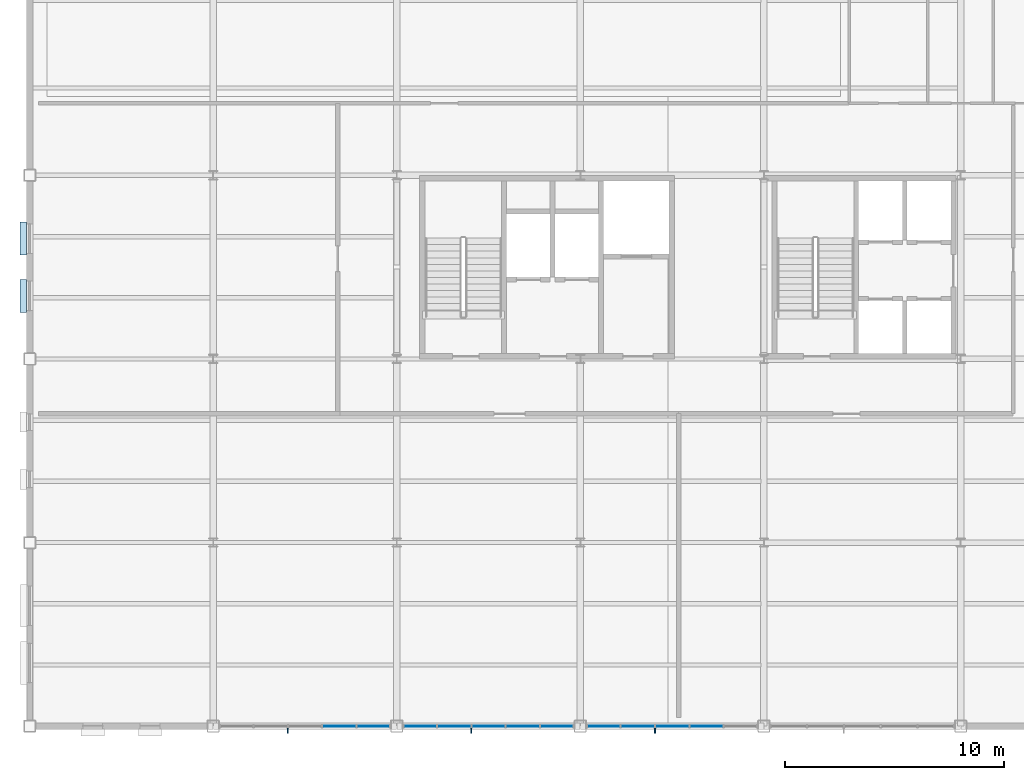
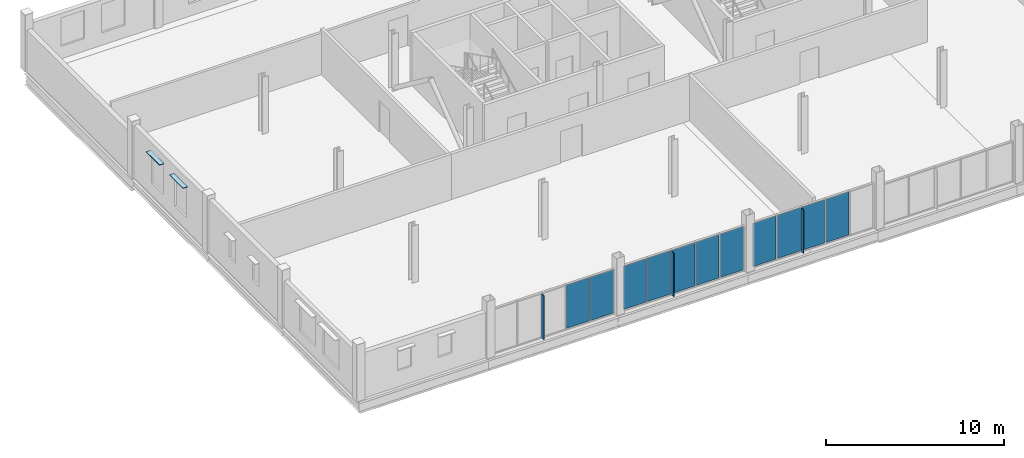
# One storey, part 9 of 17: 16 plates, 3 elements without a shape of their own.
"""IFC4 building model written with IfcOpenShell, lengths in metres."""

from ifc_helpers import new_model, si_unit, direction, frame, origin, origin_2d, place, context, subcontext, project, spatial, rectangle, extrude, material, layer, layer_set, type_object, element, aggregate, save


model = new_model("IFC4")

# Units and contexts
model_context = context("Model", 3, precision=1e-05, world=origin(), true_north=direction((0.0, 1.0)))
body_context = subcontext(model_context, "Body", "Model", "MODEL_VIEW")
ifc_project = project(units=[si_unit("LENGTHUNIT", "METRE"), si_unit("AREAUNIT", "SQUARE_METRE"), si_unit("VOLUMEUNIT", "CUBIC_METRE"), si_unit("PLANEANGLEUNIT", "RADIAN"), si_unit("MASSUNIT", "GRAM", prefix="KILO")], contexts=[model_context])

# Site, building, storey
site_placement = place(None, origin())
site = spatial("IfcSite", under=ifc_project, at=site_placement, CompositionType="ELEMENT")
building_placement = place(site_placement, origin())
building = spatial("IfcBuilding", under=site, at=building_placement, Name="Yukiwa Park Conservatory and Herbarium", CompositionType="ELEMENT")
storey_placement = place(building_placement, frame((0.0, 0.0, 17.10009765625)))
storey = spatial("IfcBuildingStorey", under=building, at=storey_placement, Name="L04", CompositionType="ELEMENT", Elevation=17.10009765625)

# Curtain wall, plates
ifc_material_1 = material(Name="Triple Low-E Insulated Glass", Category="glass")
ifc_layer_1 = layer(ifc_material_1, 0.199951171875)
ifc_layer_set_1 = layer_set([ifc_layer_1], Name="Triple Low-E Insulated Glass")
curtain_wall_type = type_object("IfcCurtainWallType", Name="CW-VISITOR-1600", PredefinedType="NOTDEFINED", material=ifc_layer_set_1)
curtain_wall_1_placement = place(storey_placement, origin())
curtain_wall_1 = element("IfcCurtainWall", 1, at=curtain_wall_1_placement, inside=storey, type_object=curtain_wall_type, Name="L04 unitised curtain wall CW-L04-072", PredefinedType="NOTDEFINED")
ifc_material_2 = material(Name="Triple Low-E Insulated Glass", Category="glass")
ifc_layer_2 = layer(ifc_material_2, 0.035888671875)
ifc_layer_set_2 = layer_set([ifc_layer_2], Name="Triple Low-E Insulated Glass")
plate_type_1 = type_object("IfcPlateType", Name="PL-CW-GLZ-36", PredefinedType="CURTAIN_PANEL", material=ifc_layer_set_2)
plate_1_placement = place(storey_placement, frame((130.570068359375, 78.0, 0.06982421875), z_axis=(0.0, 0.0, 1.0), x_axis=(1.0, 0.0, 0.0)))
plate_1 = element("IfcPlate", 2, at=plate_1_placement, type_object=plate_type_1, Name="CW-L04-072 vision panel 4.1", PredefinedType="CURTAIN_PANEL", context=body_context, shape_type="SweptSolid", body=[
    extrude(rectangle(XDim=1.5, YDim=0.035888671875, at=origin_2d()), origin(), (0.0, 0.0, 1.0), 2.9599609375),
])
plate_2_placement = place(storey_placement, frame((132.139892578125, 78.0, 0.06982421875), z_axis=(0.0, 0.0, 1.0), x_axis=(1.0, 0.0, 0.0)))
plate_2 = element("IfcPlate", 3, at=plate_2_placement, type_object=plate_type_1, Name="CW-L04-072 vision panel 5.1", PredefinedType="CURTAIN_PANEL", context=body_context, shape_type="SweptSolid", body=[
    extrude(rectangle(XDim=1.5, YDim=0.035888671875, at=origin_2d()), origin(), (0.0, 0.0, 1.0), 2.9599609375),
])
aggregate(curtain_wall_1, [plate_1, plate_2])

curtain_wall_2_placement = place(storey_placement, origin())
curtain_wall_2 = element("IfcCurtainWall", 4, at=curtain_wall_2_placement, inside=storey, type_object=curtain_wall_type, Name="L04 unitised curtain wall CW-L04-073", PredefinedType="NOTDEFINED")
plate_3_placement = place(storey_placement, frame((134.260009765625, 78.0, 0.06982421875), z_axis=(0.0, 0.0, 1.0), x_axis=(1.0, 0.0, 0.0)))
plate_3 = element("IfcPlate", 5, at=plate_3_placement, type_object=plate_type_1, Name="CW-L04-073 vision panel 1.1", PredefinedType="CURTAIN_PANEL", context=body_context, shape_type="SweptSolid", body=[
    extrude(rectangle(XDim=1.5, YDim=0.035888671875, at=origin_2d()), origin(), (0.0, 0.0, 1.0), 2.9599609375),
])
plate_4_placement = place(storey_placement, frame((135.830078125, 78.0, 0.06982421875), z_axis=(0.0, 0.0, 1.0), x_axis=(1.0, 0.0, 0.0)))
plate_4 = element("IfcPlate", 6, at=plate_4_placement, type_object=plate_type_1, Name="CW-L04-073 vision panel 2.1", PredefinedType="CURTAIN_PANEL", context=body_context, shape_type="SweptSolid", body=[
    extrude(rectangle(XDim=1.5, YDim=0.035888671875, at=origin_2d()), origin(), (0.0, 0.0, 1.0), 2.9599609375),
])
plate_5_placement = place(storey_placement, frame((137.39990234375, 78.0, 0.06982421875), z_axis=(0.0, 0.0, 1.0), x_axis=(1.0, 0.0, 0.0)))
plate_5 = element("IfcPlate", 7, at=plate_5_placement, type_object=plate_type_1, Name="CW-L04-073 vision panel 3.1", PredefinedType="CURTAIN_PANEL", context=body_context, shape_type="SweptSolid", body=[
    extrude(rectangle(XDim=1.5, YDim=0.035888671875, at=origin_2d()), origin(), (0.0, 0.0, 1.0), 2.9599609375),
])
plate_6_placement = place(storey_placement, frame((138.969970703125, 78.0, 0.06982421875), z_axis=(0.0, 0.0, 1.0), x_axis=(1.0, 0.0, 0.0)))
plate_6 = element("IfcPlate", 8, at=plate_6_placement, type_object=plate_type_1, Name="CW-L04-073 vision panel 4.1", PredefinedType="CURTAIN_PANEL", context=body_context, shape_type="SweptSolid", body=[
    extrude(rectangle(XDim=1.5, YDim=0.035888671875, at=origin_2d()), origin(), (0.0, 0.0, 1.0), 2.9599609375),
])
plate_7_placement = place(storey_placement, frame((140.5400390625, 78.0, 0.06982421875), z_axis=(0.0, 0.0, 1.0), x_axis=(1.0, 0.0, 0.0)))
plate_7 = element("IfcPlate", 9, at=plate_7_placement, type_object=plate_type_1, Name="CW-L04-073 vision panel 5.1", PredefinedType="CURTAIN_PANEL", context=body_context, shape_type="SweptSolid", body=[
    extrude(rectangle(XDim=1.5, YDim=0.035888671875, at=origin_2d()), origin(), (0.0, 0.0, 1.0), 2.9599609375),
])
aggregate(curtain_wall_2, [plate_3, plate_4, plate_5, plate_6, plate_7])

curtain_wall_3_placement = place(storey_placement, origin())
curtain_wall_3 = element("IfcCurtainWall", 10, at=curtain_wall_3_placement, inside=storey, type_object=curtain_wall_type, Name="L04 unitised curtain wall CW-L04-074", PredefinedType="NOTDEFINED")
plate_8_placement = place(storey_placement, frame((142.659912109375, 78.0, 0.06982421875), z_axis=(0.0, 0.0, 1.0), x_axis=(1.0, 0.0, 0.0)))
plate_8 = element("IfcPlate", 11, at=plate_8_placement, type_object=plate_type_1, Name="CW-L04-074 vision panel 1.1", PredefinedType="CURTAIN_PANEL", context=body_context, shape_type="SweptSolid", body=[
    extrude(rectangle(XDim=1.5, YDim=0.035888671875, at=origin_2d()), origin(), (0.0, 0.0, 1.0), 2.9599609375),
])
plate_9_placement = place(storey_placement, frame((144.22998046875, 78.0, 0.06982421875), z_axis=(0.0, 0.0, 1.0), x_axis=(1.0, 0.0, 0.0)))
plate_9 = element("IfcPlate", 12, at=plate_9_placement, type_object=plate_type_1, Name="CW-L04-074 vision panel 2.1", PredefinedType="CURTAIN_PANEL", context=body_context, shape_type="SweptSolid", body=[
    extrude(rectangle(XDim=1.5, YDim=0.035888671875, at=origin_2d()), origin(), (0.0, 0.0, 1.0), 2.9599609375),
])
plate_10_placement = place(storey_placement, frame((145.800048828125, 78.0, 0.06982421875), z_axis=(0.0, 0.0, 1.0), x_axis=(1.0, 0.0, 0.0)))
plate_10 = element("IfcPlate", 13, at=plate_10_placement, type_object=plate_type_1, Name="CW-L04-074 vision panel 3.1", PredefinedType="CURTAIN_PANEL", context=body_context, shape_type="SweptSolid", body=[
    extrude(rectangle(XDim=1.5, YDim=0.035888671875, at=origin_2d()), origin(), (0.0, 0.0, 1.0), 2.9599609375),
])
plate_11_placement = place(storey_placement, frame((147.3701171875, 78.0, 0.06982421875), z_axis=(0.0, 0.0, 1.0), x_axis=(1.0, 0.0, 0.0)))
plate_11 = element("IfcPlate", 14, at=plate_11_placement, type_object=plate_type_1, Name="CW-L04-074 vision panel 4.1", PredefinedType="CURTAIN_PANEL", context=body_context, shape_type="SweptSolid", body=[
    extrude(rectangle(XDim=1.5, YDim=0.035888671875, at=origin_2d()), origin(), (0.0, 0.0, 1.0), 2.9599609375),
])
aggregate(curtain_wall_3, [plate_8, plate_9, plate_10, plate_11])

# Plates
ifc_material_3 = material(Name="Anodised Aluminium", Category="aluminium")
ifc_layer_3 = layer(ifc_material_3, 0.050048828125)
ifc_layer_set_3 = layer_set([ifc_layer_3], Name="Anodised Aluminium")
plate_type_2 = type_object("IfcPlateType", Name="PL-FIN-ALU-50", PredefinedType="USERDEFINED", material=ifc_layer_set_3)
for number, where, z_axis, x_axis, name in (
    (15, (128.215087890625, 77.81005859375, 0.059814453125), (0.0, 0.0, 1.0), (1.0, 0.0, 0.0), "CW-L04-072 exterior vertical shading fin"),
    (16, (136.614990234375, 77.81005859375, 0.059814453125), (0.0, 0.0, 1.0), (1.0, 0.0, 0.0), "CW-L04-073 exterior vertical shading fin"),
    (17, (145.014892578125, 77.81005859375, 0.059814453125), (0.0, 0.0, 1.0), (1.0, 0.0, 0.0), "CW-L04-074 exterior vertical shading fin"),
):
    element("IfcPlate", number, at=place(storey_placement, frame(where, z_axis=z_axis, x_axis=x_axis)), inside=storey, type_object=plate_type_2, Name=name, ObjectType="SHADING FIN", PredefinedType="USERDEFINED", context=body_context, shape_type="SweptSolid", body=[
        extrude(rectangle(XDim=0.050048828125, YDim=0.280029296875, at=origin_2d()), origin(), (0.0, 0.0, 1.0), 2.97998046875),
    ])
ifc_material_4 = material(Name="Anodised Aluminium", Category="aluminium")
ifc_layer_4 = layer(ifc_material_4, 0.0400390625)
ifc_layer_set_4 = layer_set([ifc_layer_4], Name="Anodised Aluminium")
plate_type_3 = type_object("IfcPlateType", Name="PL-SHADE-ALU-40", PredefinedType="SHEET", material=ifc_layer_set_4)
for number, where, z_axis, x_axis, name in (
    (18, (116.110107421875, 100.30810546875, 2.989990234375), (0.0, 0.0, 1.0), (0.0, -1.0, 0.0), "L04 snow-shedding window hood 138"),
    (19, (116.110107421875, 97.69189453125, 2.989990234375), (0.0, 0.0, 1.0), (0.0, -1.0, 0.0), "L04 snow-shedding window hood 139"),
):
    element("IfcPlate", number, at=place(storey_placement, frame(where, z_axis=z_axis, x_axis=x_axis)), inside=storey, type_object=plate_type_3, Name=name, PredefinedType="SHEET", context=body_context, shape_type="SweptSolid", body=[
        extrude(rectangle(XDim=1.510009765625, YDim=0.300048828125, at=origin_2d()), origin(), (0.0, 0.0, 1.0), 0.0400390625),
    ])

save(model, "model.ifc")
